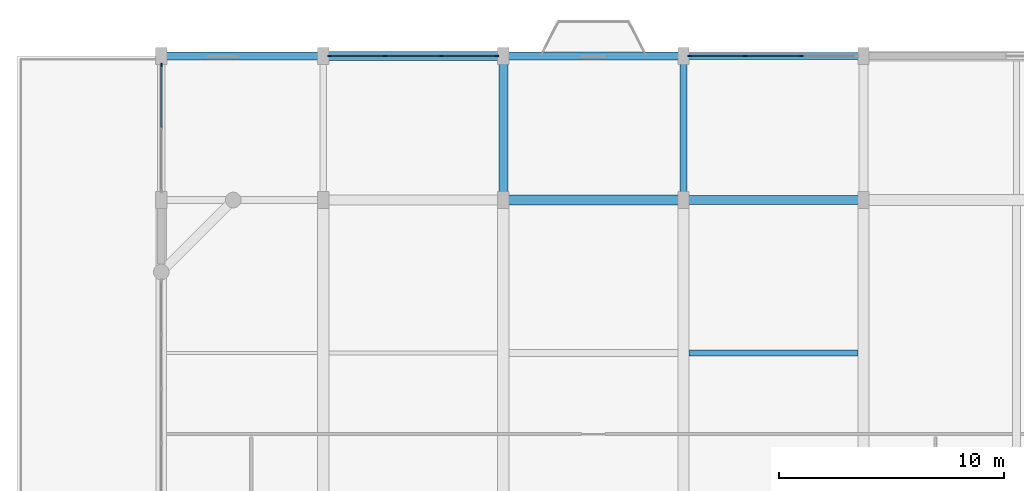
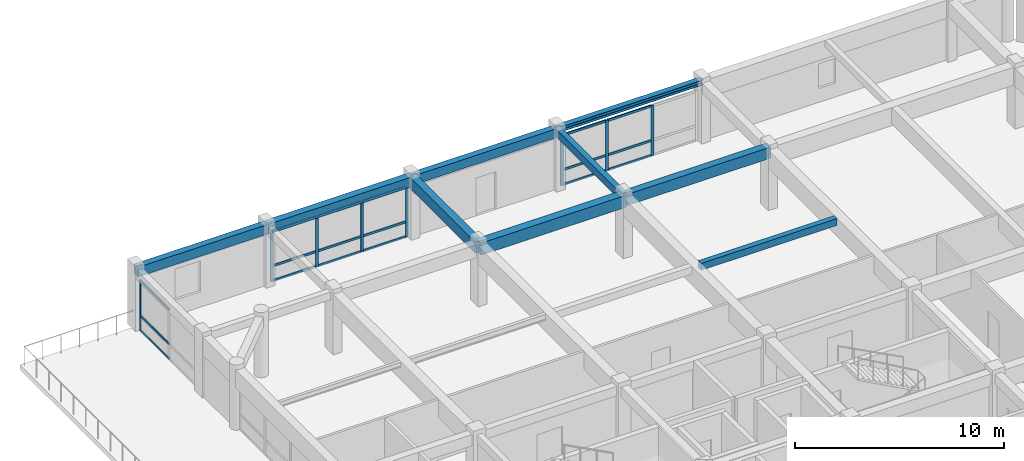
# One storey, part 6 of 13: 26 members, 9 beams, 3 elements without a shape of their own.
"""IFC4 building model written with IfcOpenShell, lengths in metres."""

from ifc_helpers import new_model, si_unit, direction, frame, origin, origin_2d, place, context, subcontext, project, spatial, rectangle, i_section, extrude, material, material_profile, profile_set, type_object, element, aggregate, save


model = new_model("IFC4")

# Units and contexts
model_context = context("Model", 3, precision=1e-05, world=origin(), true_north=direction((0.0, 1.0)))
body_context = subcontext(model_context, "Body", "Model", "MODEL_VIEW")
ifc_project = project(units=[si_unit("LENGTHUNIT", "METRE"), si_unit("AREAUNIT", "SQUARE_METRE"), si_unit("VOLUMEUNIT", "CUBIC_METRE"), si_unit("PLANEANGLEUNIT", "RADIAN"), si_unit("MASSUNIT", "GRAM", prefix="KILO")], contexts=[model_context])

# Site, building, storey
site_placement = place(None, origin())
site = spatial("IfcSite", under=ifc_project, at=site_placement, CompositionType="ELEMENT")
building_placement = place(site_placement, origin())
building = spatial("IfcBuilding", under=site, at=building_placement, Name="Vellmiral Cinema and Media Centre", CompositionType="ELEMENT")
storey_placement = place(building_placement, frame((0.0, 0.0, 39.5)))
storey = spatial("IfcBuildingStorey", under=building, at=storey_placement, Name="L09", CompositionType="ELEMENT", Elevation=39.5)

# Beams
ifc_material_1 = material(Name="Concrete C40/50", Category="concrete")
ifc_material_profile_1 = material_profile(ifc_material_1, rectangle(XDim=0.300048828125, YDim=0.449951171875, at=origin_2d()), Name="RC 300x450")
ifc_profile_set_1 = profile_set([ifc_material_profile_1], Name="Concrete C40/50")
beam_type_1 = type_object("IfcBeamType", Name="BM-RC-300x450", PredefinedType="BEAM", material=ifc_profile_set_1)
beam_1_placement = place(storey_placement, frame((140.0, 108.800048828125, 3.31005859375), z_axis=(0.0, 1.0, 0.0), x_axis=(-1.0, 0.0, 0.0)))
element("IfcBeam", 1, at=beam_1_placement, inside=storey, type_object=beam_type_1, Name="Grid Beam L09-Y065", PredefinedType="BEAM", context=body_context, shape_type="SweptSolid", body=[
    extrude(rectangle(XDim=0.300048828125, YDim=0.449951171875, at=origin_2d()), origin(), (0.0, 0.0, 1.0), 6.39990234375),
])
ifc_material_2 = material(Name="Concrete C40/50", Category="concrete")
ifc_material_profile_2 = material_profile(ifc_material_2, rectangle(XDim=0.39990234375, YDim=0.64990234375, at=origin_2d()), Name="RC 400x650")
ifc_profile_set_2 = profile_set([ifc_material_profile_2], Name="Concrete C40/50")
beam_type_2 = type_object("IfcBeamType", Name="BM-RC-400x650", PredefinedType="BEAM", material=ifc_profile_set_2)
beam_2_placement = place(storey_placement, frame((140.0, 108.800048828125, 3.2099609375), z_axis=(1.0, 0.0, 0.0), x_axis=(0.0, 1.0, 0.0)))
element("IfcBeam", 2, at=beam_2_placement, inside=storey, type_object=beam_type_2, Name="Grid Beam L09-X034", PredefinedType="BEAM", context=body_context, shape_type="SweptSolid", body=[
    extrude(rectangle(XDim=0.39990234375, YDim=0.64990234375, at=origin_2d()), origin(), (0.0, 0.0, 1.0), 8.0),
])
beam_3_placement = place(storey_placement, frame((132.0, 108.800048828125, 3.2099609375), z_axis=(0.0, 1.0, 0.0), x_axis=(-1.0, 0.0, 0.0)))
element("IfcBeam", 3, at=beam_3_placement, inside=storey, type_object=beam_type_2, Name="Grid Beam L09-Y059", PredefinedType="BEAM", context=body_context, shape_type="SweptSolid", body=[
    extrude(rectangle(XDim=0.39990234375, YDim=0.64990234375, at=origin_2d()), origin(), (0.0, 0.0, 1.0), 6.39990234375),
])
ifc_material_3 = material(Name="Concrete C40/50", Category="concrete")
ifc_material_profile_3 = material_profile(ifc_material_3, rectangle(XDim=0.449951171875, YDim=0.699951171875, at=origin_2d()), Name="RC 450x700")
ifc_profile_set_3 = profile_set([ifc_material_profile_3], Name="Concrete C40/50")
beam_type_3 = type_object("IfcBeamType", Name="BM-RC-450x700", PredefinedType="BEAM", material=ifc_profile_set_3)
beam_4_placement = place(storey_placement, frame((132.0, 108.800048828125, 3.18505859375), z_axis=(1.0, 0.0, 0.0), x_axis=(0.0, 1.0, 0.0)))
element("IfcBeam", 4, at=beam_4_placement, inside=storey, type_object=beam_type_3, Name="Grid Beam L09-X033", PredefinedType="BEAM", context=body_context, shape_type="SweptSolid", body=[
    extrude(rectangle(XDim=0.449951171875, YDim=0.699951171875, at=origin_2d()), origin(), (0.0, 0.0, 1.0), 8.0),
])

# Curtain wall, members
ifc_material_4 = material(Name="Thermally Broken Aluminium and Triple Glazing", Category="aluminium")
curtain_wall_type = type_object("IfcCurtainWallType", Name="CW-TOWER-MID-W", PredefinedType="USERDEFINED", material=ifc_material_4)
curtain_wall_1_placement = place(storey_placement, origin())
curtain_wall_1 = element("IfcCurtainWall", 5, at=curtain_wall_1_placement, inside=storey, type_object=curtain_wall_type, Name="Curtain Wall L09-B018", ObjectType="UNITISED CURTAIN WALL", PredefinedType="USERDEFINED")
ifc_material_5 = material(Name="Thermally Broken Anodised Aluminium", Category="aluminium")
ifc_material_profile_4 = material_profile(ifc_material_5, rectangle(XDim=0.06494140625, YDim=0.159912109375, at=origin_2d()), Name="MULL 65x160")
ifc_profile_set_4 = profile_set([ifc_material_profile_4], Name="Thermally Broken Anodised Aluminium")
member_type_1 = type_object("IfcMemberType", Name="CWM-65x160", PredefinedType="MULLION", material=ifc_profile_set_4)
member_1_placement = place(storey_placement, frame((145.25, 115.199951171875, 0.0), z_axis=(0.0, 0.0, 1.0), x_axis=(0.0, -1.0, 0.0)))
member_1 = element("IfcMember", 6, at=member_1_placement, type_object=member_type_1, Name="CW-08 mullion 2", PredefinedType="MULLION", context=body_context, shape_type="SweptSolid", body=[
    extrude(rectangle(XDim=0.06494140625, YDim=0.159912109375, at=origin_2d()), origin(), (0.0, 0.0, 1.0), 2.93994140625),
])
member_2_placement = place(storey_placement, frame((142.75, 115.199951171875, 0.0), z_axis=(0.0, 0.0, 1.0), x_axis=(0.0, -1.0, 0.0)))
member_2 = element("IfcMember", 7, at=member_2_placement, type_object=member_type_1, Name="CW-08 mullion 3", PredefinedType="MULLION", context=body_context, shape_type="SweptSolid", body=[
    extrude(rectangle(XDim=0.06494140625, YDim=0.159912109375, at=origin_2d()), origin(), (0.0, 0.0, 1.0), 2.93994140625),
])
member_3_placement = place(storey_placement, frame((140.282470703125, 115.199951171875, 0.0), z_axis=(0.0, 0.0, 1.0), x_axis=(0.0, -1.0, 0.0)))
member_3 = element("IfcMember", 8, at=member_3_placement, type_object=member_type_1, Name="CW-08 mullion 4", PredefinedType="MULLION", context=body_context, shape_type="SweptSolid", body=[
    extrude(rectangle(XDim=0.06494140625, YDim=0.159912109375, at=origin_2d()), origin(), (0.0, 0.0, 1.0), 2.93994140625),
])

curtain_wall_2_placement = place(storey_placement, origin())
curtain_wall_2 = element("IfcCurtainWall", 9, at=curtain_wall_2_placement, inside=storey, type_object=curtain_wall_type, Name="Curtain Wall L09-B020", ObjectType="UNITISED CURTAIN WALL", PredefinedType="USERDEFINED")
member_4_placement = place(storey_placement, frame((131.717529296875, 115.199951171875, 0.0), z_axis=(0.0, 0.0, 1.0), x_axis=(0.0, -1.0, 0.0)))
member_4 = element("IfcMember", 10, at=member_4_placement, type_object=member_type_1, Name="CW-08 mullion 1", PredefinedType="MULLION", context=body_context, shape_type="SweptSolid", body=[
    extrude(rectangle(XDim=0.06494140625, YDim=0.159912109375, at=origin_2d()), origin(), (0.0, 0.0, 1.0), 2.93994140625),
])
member_5_placement = place(storey_placement, frame((129.25, 115.199951171875, 0.0), z_axis=(0.0, 0.0, 1.0), x_axis=(0.0, -1.0, 0.0)))
member_5 = element("IfcMember", 11, at=member_5_placement, type_object=member_type_1, Name="CW-08 mullion 2", PredefinedType="MULLION", context=body_context, shape_type="SweptSolid", body=[
    extrude(rectangle(XDim=0.06494140625, YDim=0.159912109375, at=origin_2d()), origin(), (0.0, 0.0, 1.0), 2.93994140625),
])
member_6_placement = place(storey_placement, frame((126.75, 115.199951171875, 0.0), z_axis=(0.0, 0.0, 1.0), x_axis=(0.0, -1.0, 0.0)))
member_6 = element("IfcMember", 12, at=member_6_placement, type_object=member_type_1, Name="CW-08 mullion 3", PredefinedType="MULLION", context=body_context, shape_type="SweptSolid", body=[
    extrude(rectangle(XDim=0.06494140625, YDim=0.159912109375, at=origin_2d()), origin(), (0.0, 0.0, 1.0), 2.93994140625),
])
member_7_placement = place(storey_placement, frame((124.282470703125, 115.199951171875, 0.0), z_axis=(0.0, 0.0, 1.0), x_axis=(0.0, -1.0, 0.0)))
member_7 = element("IfcMember", 13, at=member_7_placement, type_object=member_type_1, Name="CW-08 mullion 4", PredefinedType="MULLION", context=body_context, shape_type="SweptSolid", body=[
    extrude(rectangle(XDim=0.06494140625, YDim=0.159912109375, at=origin_2d()), origin(), (0.0, 0.0, 1.0), 2.93994140625),
])

# Curtain wall, member
curtain_wall_3_placement = place(storey_placement, origin())
curtain_wall_3 = element("IfcCurtainWall", 14, at=curtain_wall_3_placement, inside=storey, type_object=curtain_wall_type, Name="Curtain Wall L09-B022", ObjectType="UNITISED CURTAIN WALL", PredefinedType="USERDEFINED")
member_8_placement = place(storey_placement, frame((116.800048828125, 114.79248046875, 0.0), z_axis=(0.0, 0.0, 1.0), x_axis=(1.0, 0.0, 0.0)))
member_8 = element("IfcMember", 15, at=member_8_placement, type_object=member_type_1, Name="CW-08 mullion 1", PredefinedType="MULLION", context=body_context, shape_type="SweptSolid", body=[
    extrude(rectangle(XDim=0.06494140625, YDim=0.159912109375, at=origin_2d()), origin(), (0.0, 0.0, 1.0), 2.93994140625),
])

# Member
ifc_material_6 = material(Name="Thermally Broken Anodised Aluminium", Category="aluminium")
ifc_material_profile_5 = material_profile(ifc_material_6, rectangle(XDim=0.06494140625, YDim=0.135009765625, at=origin_2d()), Name="MULL 65x135")
ifc_profile_set_5 = profile_set([ifc_material_profile_5], Name="Thermally Broken Anodised Aluminium")
member_type_2 = type_object("IfcMemberType", Name="CWT-65x135", PredefinedType="USERDEFINED", material=ifc_profile_set_5)
member_9_placement = place(storey_placement, frame((145.217529296875, 115.199951171875, 0.032470703125), z_axis=(-1.0, 0.0, 0.0), x_axis=(0.0, -1.0, 0.0)))
member_9 = element("IfcMember", 16, at=member_9_placement, type_object=member_type_2, Name="CW-08 transom 2.1", ObjectType="TRANSOM", PredefinedType="USERDEFINED", context=body_context, shape_type="SweptSolid", body=[
    extrude(rectangle(XDim=0.06494140625, YDim=0.135009765625, at=origin_2d()), origin(), (0.0, 0.0, 1.0), 2.43505859375),
])

member_10_placement = place(storey_placement, frame((145.217529296875, 115.199951171875, 0.89990234375), z_axis=(-1.0, 0.0, 0.0), x_axis=(0.0, -1.0, 0.0)))
member_10 = element("IfcMember", 17, at=member_10_placement, type_object=member_type_2, Name="CW-08 transom 2.2", ObjectType="TRANSOM", PredefinedType="USERDEFINED", context=body_context, shape_type="SweptSolid", body=[
    extrude(rectangle(XDim=0.06494140625, YDim=0.135009765625, at=origin_2d()), origin(), (0.0, 0.0, 1.0), 2.43505859375),
])

member_11_placement = place(storey_placement, frame((145.217529296875, 115.199951171875, 2.907470703125), z_axis=(-1.0, 0.0, 0.0), x_axis=(0.0, -1.0, 0.0)))
member_11 = element("IfcMember", 18, at=member_11_placement, type_object=member_type_2, Name="CW-08 transom 2.3", ObjectType="TRANSOM", PredefinedType="USERDEFINED", context=body_context, shape_type="SweptSolid", body=[
    extrude(rectangle(XDim=0.06494140625, YDim=0.135009765625, at=origin_2d()), origin(), (0.0, 0.0, 1.0), 2.43505859375),
])

member_12_placement = place(storey_placement, frame((142.717529296875, 115.199951171875, 0.032470703125), z_axis=(-1.0, 0.0, 0.0), x_axis=(0.0, -1.0, 0.0)))
member_12 = element("IfcMember", 19, at=member_12_placement, type_object=member_type_2, Name="CW-08 transom 3.1", ObjectType="TRANSOM", PredefinedType="USERDEFINED", context=body_context, shape_type="SweptSolid", body=[
    extrude(rectangle(XDim=0.06494140625, YDim=0.135009765625, at=origin_2d()), origin(), (0.0, 0.0, 1.0), 2.402587890625),
])

member_13_placement = place(storey_placement, frame((142.717529296875, 115.199951171875, 0.89990234375), z_axis=(-1.0, 0.0, 0.0), x_axis=(0.0, -1.0, 0.0)))
member_13 = element("IfcMember", 20, at=member_13_placement, type_object=member_type_2, Name="CW-08 transom 3.2", ObjectType="TRANSOM", PredefinedType="USERDEFINED", context=body_context, shape_type="SweptSolid", body=[
    extrude(rectangle(XDim=0.06494140625, YDim=0.135009765625, at=origin_2d()), origin(), (0.0, 0.0, 1.0), 2.402587890625),
])

member_14_placement = place(storey_placement, frame((142.717529296875, 115.199951171875, 2.907470703125), z_axis=(-1.0, 0.0, 0.0), x_axis=(0.0, -1.0, 0.0)))
member_14 = element("IfcMember", 21, at=member_14_placement, type_object=member_type_2, Name="CW-08 transom 3.3", ObjectType="TRANSOM", PredefinedType="USERDEFINED", context=body_context, shape_type="SweptSolid", body=[
    extrude(rectangle(XDim=0.06494140625, YDim=0.135009765625, at=origin_2d()), origin(), (0.0, 0.0, 1.0), 2.402587890625),
])

aggregate(curtain_wall_1, [member_1, member_2, member_3, member_9, member_10, member_11, member_12, member_13, member_14])

member_15_placement = place(storey_placement, frame((131.68505859375, 115.199951171875, 0.032470703125), z_axis=(-1.0, 0.0, 0.0), x_axis=(0.0, -1.0, 0.0)))
member_15 = element("IfcMember", 22, at=member_15_placement, type_object=member_type_2, Name="CW-08 transom 1.1", ObjectType="TRANSOM", PredefinedType="USERDEFINED", context=body_context, shape_type="SweptSolid", body=[
    extrude(rectangle(XDim=0.06494140625, YDim=0.135009765625, at=origin_2d()), origin(), (0.0, 0.0, 1.0), 2.402587890625),
])

member_16_placement = place(storey_placement, frame((131.68505859375, 115.199951171875, 0.89990234375), z_axis=(-1.0, 0.0, 0.0), x_axis=(0.0, -1.0, 0.0)))
member_16 = element("IfcMember", 23, at=member_16_placement, type_object=member_type_2, Name="CW-08 transom 1.2", ObjectType="TRANSOM", PredefinedType="USERDEFINED", context=body_context, shape_type="SweptSolid", body=[
    extrude(rectangle(XDim=0.06494140625, YDim=0.135009765625, at=origin_2d()), origin(), (0.0, 0.0, 1.0), 2.402587890625),
])

member_17_placement = place(storey_placement, frame((131.68505859375, 115.199951171875, 2.907470703125), z_axis=(-1.0, 0.0, 0.0), x_axis=(0.0, -1.0, 0.0)))
member_17 = element("IfcMember", 24, at=member_17_placement, type_object=member_type_2, Name="CW-08 transom 1.3", ObjectType="TRANSOM", PredefinedType="USERDEFINED", context=body_context, shape_type="SweptSolid", body=[
    extrude(rectangle(XDim=0.06494140625, YDim=0.135009765625, at=origin_2d()), origin(), (0.0, 0.0, 1.0), 2.402587890625),
])

member_18_placement = place(storey_placement, frame((129.217529296875, 115.199951171875, 0.032470703125), z_axis=(-1.0, 0.0, 0.0), x_axis=(0.0, -1.0, 0.0)))
member_18 = element("IfcMember", 25, at=member_18_placement, type_object=member_type_2, Name="CW-08 transom 2.1", ObjectType="TRANSOM", PredefinedType="USERDEFINED", context=body_context, shape_type="SweptSolid", body=[
    extrude(rectangle(XDim=0.06494140625, YDim=0.135009765625, at=origin_2d()), origin(), (0.0, 0.0, 1.0), 2.43505859375),
])

member_19_placement = place(storey_placement, frame((129.217529296875, 115.199951171875, 0.89990234375), z_axis=(-1.0, 0.0, 0.0), x_axis=(0.0, -1.0, 0.0)))
member_19 = element("IfcMember", 26, at=member_19_placement, type_object=member_type_2, Name="CW-08 transom 2.2", ObjectType="TRANSOM", PredefinedType="USERDEFINED", context=body_context, shape_type="SweptSolid", body=[
    extrude(rectangle(XDim=0.06494140625, YDim=0.135009765625, at=origin_2d()), origin(), (0.0, 0.0, 1.0), 2.43505859375),
])

member_20_placement = place(storey_placement, frame((129.217529296875, 115.199951171875, 2.907470703125), z_axis=(-1.0, 0.0, 0.0), x_axis=(0.0, -1.0, 0.0)))
member_20 = element("IfcMember", 27, at=member_20_placement, type_object=member_type_2, Name="CW-08 transom 2.3", ObjectType="TRANSOM", PredefinedType="USERDEFINED", context=body_context, shape_type="SweptSolid", body=[
    extrude(rectangle(XDim=0.06494140625, YDim=0.135009765625, at=origin_2d()), origin(), (0.0, 0.0, 1.0), 2.43505859375),
])

member_21_placement = place(storey_placement, frame((126.717529296875, 115.199951171875, 0.032470703125), z_axis=(-1.0, 0.0, 0.0), x_axis=(0.0, -1.0, 0.0)))
member_21 = element("IfcMember", 28, at=member_21_placement, type_object=member_type_2, Name="CW-08 transom 3.1", ObjectType="TRANSOM", PredefinedType="USERDEFINED", context=body_context, shape_type="SweptSolid", body=[
    extrude(rectangle(XDim=0.06494140625, YDim=0.135009765625, at=origin_2d()), origin(), (0.0, 0.0, 1.0), 2.402587890625),
])

member_22_placement = place(storey_placement, frame((126.717529296875, 115.199951171875, 0.89990234375), z_axis=(-1.0, 0.0, 0.0), x_axis=(0.0, -1.0, 0.0)))
member_22 = element("IfcMember", 29, at=member_22_placement, type_object=member_type_2, Name="CW-08 transom 3.2", ObjectType="TRANSOM", PredefinedType="USERDEFINED", context=body_context, shape_type="SweptSolid", body=[
    extrude(rectangle(XDim=0.06494140625, YDim=0.135009765625, at=origin_2d()), origin(), (0.0, 0.0, 1.0), 2.402587890625),
])

member_23_placement = place(storey_placement, frame((126.717529296875, 115.199951171875, 2.907470703125), z_axis=(-1.0, 0.0, 0.0), x_axis=(0.0, -1.0, 0.0)))
member_23 = element("IfcMember", 30, at=member_23_placement, type_object=member_type_2, Name="CW-08 transom 3.3", ObjectType="TRANSOM", PredefinedType="USERDEFINED", context=body_context, shape_type="SweptSolid", body=[
    extrude(rectangle(XDim=0.06494140625, YDim=0.135009765625, at=origin_2d()), origin(), (0.0, 0.0, 1.0), 2.402587890625),
])

aggregate(curtain_wall_2, [member_4, member_5, member_6, member_7, member_15, member_16, member_17, member_18, member_19, member_20, member_21, member_22, member_23])

member_24_placement = place(storey_placement, frame((116.800048828125, 114.760009765625, 0.032470703125), z_axis=(0.0, -1.0, 0.0), x_axis=(1.0, 0.0, 0.0)))
member_24 = element("IfcMember", 31, at=member_24_placement, type_object=member_type_2, Name="CW-08 transom 1.1", ObjectType="TRANSOM", PredefinedType="USERDEFINED", context=body_context, shape_type="SweptSolid", body=[
    extrude(rectangle(XDim=0.06494140625, YDim=0.135009765625, at=origin_2d()), origin(), (0.0, 0.0, 1.0), 2.7275390625),
])

member_25_placement = place(storey_placement, frame((116.800048828125, 114.760009765625, 0.89990234375), z_axis=(0.0, -1.0, 0.0), x_axis=(1.0, 0.0, 0.0)))
member_25 = element("IfcMember", 32, at=member_25_placement, type_object=member_type_2, Name="CW-08 transom 1.2", ObjectType="TRANSOM", PredefinedType="USERDEFINED", context=body_context, shape_type="SweptSolid", body=[
    extrude(rectangle(XDim=0.06494140625, YDim=0.135009765625, at=origin_2d()), origin(), (0.0, 0.0, 1.0), 2.7275390625),
])

member_26_placement = place(storey_placement, frame((116.800048828125, 114.760009765625, 2.907470703125), z_axis=(0.0, -1.0, 0.0), x_axis=(1.0, 0.0, 0.0)))
member_26 = element("IfcMember", 33, at=member_26_placement, type_object=member_type_2, Name="CW-08 transom 1.3", ObjectType="TRANSOM", PredefinedType="USERDEFINED", context=body_context, shape_type="SweptSolid", body=[
    extrude(rectangle(XDim=0.06494140625, YDim=0.135009765625, at=origin_2d()), origin(), (0.0, 0.0, 1.0), 2.7275390625),
])

aggregate(curtain_wall_3, [member_8, member_24, member_25, member_26])

# Beams
ifc_material_7 = material(Name="Concrete C40/50", Category="concrete")
ifc_material_profile_6 = material_profile(ifc_material_7, rectangle(XDim=0.280029296875, YDim=0.39990234375, at=origin_2d()), Name="RC 280x400")
ifc_profile_set_6 = profile_set([ifc_material_profile_6], Name="Concrete C40/50")
beam_type_4 = type_object("IfcBeamType", Name="JST-RC-280x400", PredefinedType="JOIST", material=ifc_profile_set_6)
beam_5_placement = place(storey_placement, frame((140.25, 102.0, 3.3349609375), z_axis=(1.0, 0.0, 0.0), x_axis=(0.0, 1.0, 0.0)))
element("IfcBeam", 34, at=beam_5_placement, inside=storey, type_object=beam_type_4, Name="Secondary Floor Joist L09-004", PredefinedType="JOIST", context=body_context, shape_type="SweptSolid", body=[
    extrude(rectangle(XDim=0.280029296875, YDim=0.39990234375, at=origin_2d()), origin(), (0.0, 0.0, 1.0), 7.5),
])
ifc_material_8 = material(Name="Steel S355", Category="steel")
ifc_material_profile_7 = material_profile(ifc_material_8, i_section(OverallWidth=0.300048828125, OverallDepth=0.300048828125, WebThickness=0.010986328125, FlangeThickness=0.01904296875, FilletRadius=0.027099609375, at=origin_2d()), Name="HEB 300")
ifc_profile_set_7 = profile_set([ifc_material_profile_7], Name="Steel S355")
beam_type_5 = type_object("IfcBeamType", Name="SBM-HEB300", PredefinedType="SPANDREL", material=ifc_profile_set_7)
beam_6_placement = place(storey_placement, frame((140.0, 115.199951171875, 3.385009765625), z_axis=(1.0, 0.0, 0.0), x_axis=(0.0, 1.0, 0.0)))
element("IfcBeam", 35, at=beam_6_placement, inside=storey, type_object=beam_type_5, Name="Grid Beam L09-X040", PredefinedType="SPANDREL", context=body_context, shape_type="SweptSolid", body=[
    extrude(i_section(OverallWidth=0.300048828125, OverallDepth=0.300048828125, WebThickness=0.010986328125, FlangeThickness=0.01904296875, FilletRadius=0.027099609375, at=origin_2d()), origin(), (0.0, 0.0, 1.0), 8.0),
])
ifc_material_9 = material(Name="Concrete C40/50", Category="concrete")
ifc_material_profile_8 = material_profile(ifc_material_9, rectangle(XDim=0.35009765625, YDim=0.56005859375, at=origin_2d()), Name="RC 350x560")
ifc_profile_set_8 = profile_set([ifc_material_profile_8], Name="Concrete C40/50")
beam_type_6 = type_object("IfcBeamType", Name="SPD-RC-350x560", PredefinedType="SPANDREL", material=ifc_profile_set_8)
beam_7_placement = place(storey_placement, frame((116.800048828125, 115.199951171875, 3.2548828125), z_axis=(1.0, 0.0, 0.0), x_axis=(0.0, 1.0, 0.0)))
element("IfcBeam", 36, at=beam_7_placement, inside=storey, type_object=beam_type_6, Name="Grid Beam L09-X037", PredefinedType="SPANDREL", context=body_context, shape_type="SweptSolid", body=[
    extrude(rectangle(XDim=0.35009765625, YDim=0.56005859375, at=origin_2d()), origin(), (0.0, 0.0, 1.0), 7.199951171875),
])
ifc_material_10 = material(Name="Vosges Red Sandstone Masonry", Category="masonry")
ifc_material_profile_9 = material_profile(ifc_material_10, rectangle(XDim=0.340087890625, YDim=0.52001953125, at=origin_2d()), Name="SAND 340x520")
ifc_profile_set_9 = profile_set([ifc_material_profile_9], Name="Vosges Red Sandstone Masonry")
beam_type_7 = type_object("IfcBeamType", Name="SPD-SAND-340x520", PredefinedType="SPANDREL", material=ifc_profile_set_9)
beam_8_placement = place(storey_placement, frame((132.0, 115.199951171875, 3.27490234375), z_axis=(1.0, 0.0, 0.0), x_axis=(0.0, 1.0, 0.0)))
element("IfcBeam", 37, at=beam_8_placement, inside=storey, type_object=beam_type_7, Name="Grid Beam L09-X039", PredefinedType="SPANDREL", context=body_context, shape_type="SweptSolid", body=[
    extrude(rectangle(XDim=0.340087890625, YDim=0.52001953125, at=origin_2d()), origin(), (0.0, 0.0, 1.0), 8.0),
])
ifc_material_11 = material(Name="Vosges Red Sandstone Masonry", Category="masonry")
ifc_material_profile_10 = material_profile(ifc_material_11, rectangle(XDim=0.3798828125, YDim=0.580078125, at=origin_2d()), Name="SAND 380x580")
ifc_profile_set_10 = profile_set([ifc_material_profile_10], Name="Vosges Red Sandstone Masonry")
beam_type_8 = type_object("IfcBeamType", Name="SPD-SAND-380x580", PredefinedType="SPANDREL", material=ifc_profile_set_10)
beam_9_placement = place(storey_placement, frame((124.0, 115.199951171875, 3.2451171875), z_axis=(1.0, 0.0, 0.0), x_axis=(0.0, 1.0, 0.0)))
element("IfcBeam", 38, at=beam_9_placement, inside=storey, type_object=beam_type_8, Name="Grid Beam L09-X038", PredefinedType="SPANDREL", context=body_context, shape_type="SweptSolid", body=[
    extrude(rectangle(XDim=0.3798828125, YDim=0.580078125, at=origin_2d()), origin(), (0.0, 0.0, 1.0), 8.0),
])

save(model, "model.ifc")
